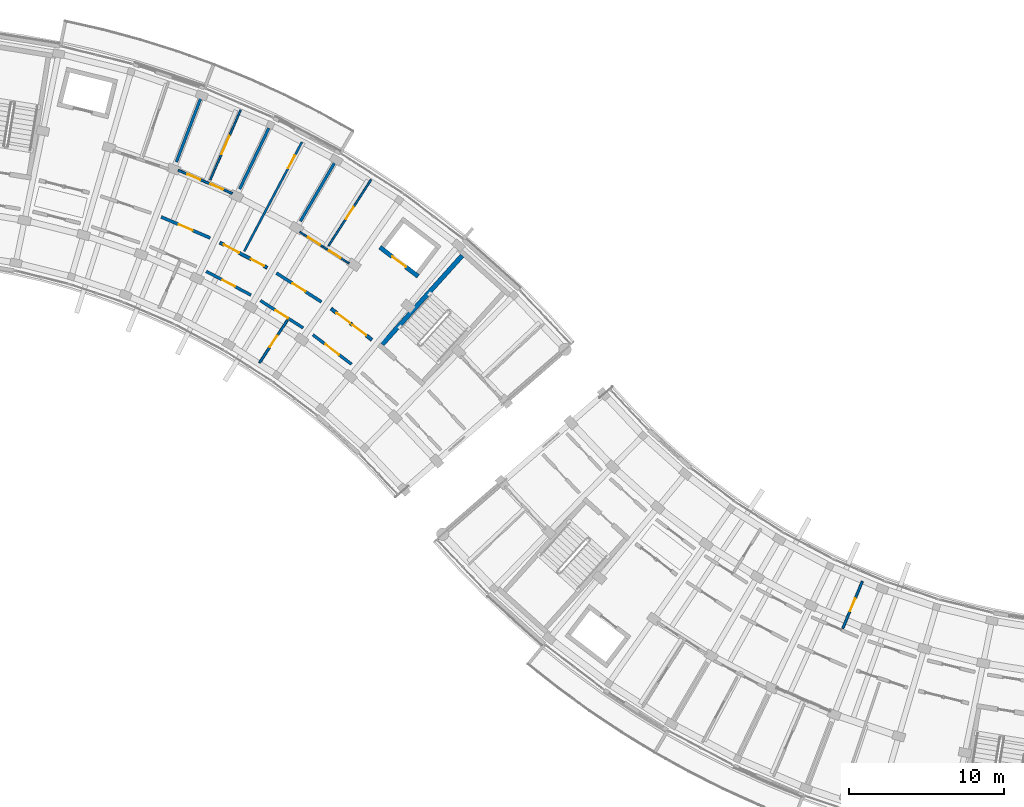
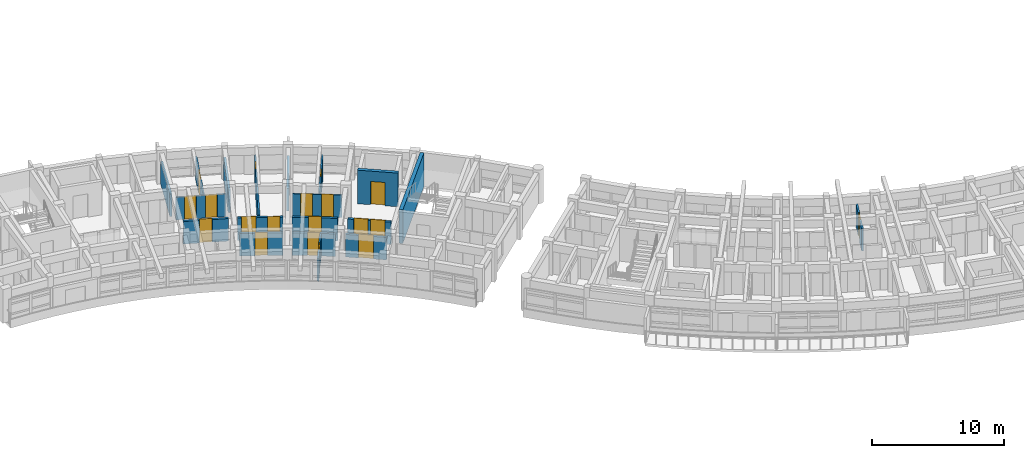
# One storey, part 36 of 55: 19 doors, 19 walls, 19 openings.
"""IFC4 building model written with IfcOpenShell, lengths in metres."""

from ifc_helpers import new_model, si_unit, direction, frame, frame_2d, origin, place, context, subcontext, project, spatial, rectangle, extrude, material, layer, layer_set, type_object, element, fill, save


model = new_model("IFC4")

# Units and contexts
model_context = context("Model", 3, precision=1e-05, world=origin(), true_north=direction((0.0, 1.0)))
body_context = subcontext(model_context, "Body", "Model", "MODEL_VIEW")
ifc_project = project(units=[si_unit("LENGTHUNIT", "METRE"), si_unit("AREAUNIT", "SQUARE_METRE"), si_unit("VOLUMEUNIT", "CUBIC_METRE"), si_unit("PLANEANGLEUNIT", "RADIAN"), si_unit("MASSUNIT", "GRAM", prefix="KILO")], contexts=[model_context])

# Site, building, storey
site_placement = place(None, origin())
site = spatial("IfcSite", under=ifc_project, at=site_placement, CompositionType="ELEMENT")
building_placement = place(site_placement, origin())
building = spatial("IfcBuilding", under=site, at=building_placement, Name="Zimvara Arc Housing Community", CompositionType="ELEMENT")
storey_placement = place(building_placement, frame((0.0, 0.0, 14.300048828125)))
storey = spatial("IfcBuildingStorey", under=building, at=storey_placement, Name="L04", CompositionType="ELEMENT", Elevation=14.300048828125)

# Wall, openings, doors
ifc_material_1 = material(Name="Concrete C35/45", Category="concrete")
ifc_layer_1 = layer(ifc_material_1, 0.2099609375)
ifc_layer_set_1 = layer_set([ifc_layer_1], Name="Concrete C35/45")
wall_type_1 = type_object("IfcWallType", Name="IWL-CCF-210", PredefinedType="SOLIDWALL", material=ifc_layer_set_1)
wall_1_placement = place(storey_placement, frame((74.356689453125, 85.755859375, 0.0), z_axis=(0.0, 0.0, 1.0), x_axis=(0.795498026433, -0.605956178235, 0.0)))
wall_1 = element("IfcWall", 1, at=wall_1_placement, inside=storey, type_object=wall_type_1, Name="iwall:blkB:L04:ll_div:b7", PredefinedType="SOLIDWALL", context=body_context, shape_type="SweptSolid", body=[
    extrude(rectangle(XDim=3.296142578125, YDim=0.2099609375, at=frame_2d((1.64794921875, 0.0))), origin(), (0.0, 0.0, 1.0), 2.079833984375),
])
opening_1_placement = place(wall_1_placement, frame((0.449951171875, 0.0, 0.0)))
opening_1 = element("IfcOpeningElement", 2, at=opening_1_placement, cuts=wall_1, Name="Opening FD-CCF1", PredefinedType="OPENING", context=body_context, shape_type="SweptSolid", body=[
    extrude(rectangle(XDim=1.10009765625, YDim=2.14990234375, at=frame_2d((0.550048828125, 1.074951171875))), frame((0.0, 0.114990234375, 0.0), z_axis=(0.0, -1.0, 0.0), x_axis=(1.0, 0.0, 0.0)), (0.0, 0.0, 1.0), 0.22998046875),
])
opening_2_placement = place(wall_1_placement, frame((1.72607421875, 0.0, 0.0)))
opening_2 = element("IfcOpeningElement", 3, at=opening_2_placement, cuts=wall_1, Name="Opening D07", PredefinedType="OPENING", context=body_context, shape_type="SweptSolid", body=[
    extrude(rectangle(XDim=1.1201171875, YDim=2.14990234375, at=frame_2d((0.56005859375, 1.074951171875))), frame((0.0, 0.114990234375, 0.0), z_axis=(0.0, -1.0, 0.0), x_axis=(1.0, 0.0, 0.0)), (0.0, 0.0, 1.0), 0.22998046875),
])
ifc_material_2 = material(Name="Mozambican Hardwood", Category="wood")
door_type_1 = type_object("IfcDoorType", Name="IDR-AMN-1120x2150", OperationType="NOTDEFINED", PredefinedType="DOOR", material=ifc_material_2)
door_1_placement = place(opening_2_placement, origin())
door_1 = element("IfcDoor", 4, at=door_1_placement, inside=storey, type_object=door_type_1, Name="idoor:blkB:L04:rs_in:b7", OperationType="SINGLE_SWING_LEFT", OverallHeight=2.14990234375, OverallWidth=1.1201171875, PredefinedType="DOOR", context=body_context, shape_type="SweptSolid", body=[
    extrude(rectangle(XDim=1.1201171875, YDim=2.14990234375, at=frame_2d((0.56005859375, 1.074951171875))), frame((0.0, 0.02490234375, 0.0), z_axis=(0.0, -1.0, 0.0), x_axis=(1.0, 0.0, 0.0)), (0.0, 0.0, 1.0), 0.050048828125),
])
fill(opening_2, door_1)
ifc_material_3 = material(Name="Anodised Aluminium AW-6063", Category="aluminium")
door_type_2 = type_object("IfcDoorType", Name="IDR-CCF-1100x2150", OperationType="NOTDEFINED", PredefinedType="DOOR", material=ifc_material_3)
door_2_placement = place(opening_1_placement, origin())
door_2 = element("IfcDoor", 5, at=door_2_placement, inside=storey, type_object=door_type_2, Name="idoor:blkB:L04:ll_in:b7", OperationType="SINGLE_SWING_RIGHT", OverallHeight=2.14990234375, OverallWidth=1.10009765625, PredefinedType="DOOR", context=body_context, shape_type="SweptSolid", body=[
    extrude(rectangle(XDim=1.10009765625, YDim=2.14990234375, at=frame_2d((0.550048828125, 1.074951171875))), frame((0.0, 0.02490234375, 0.0), z_axis=(0.0, -1.0, 0.0), x_axis=(1.0, 0.0, 0.0)), (0.0, 0.0, 1.0), 0.050048828125),
])
fill(opening_1, door_2)

# Wall, opening, door
ifc_material_4 = material(Name="Concrete C35/45", Category="concrete")
ifc_layer_2 = layer(ifc_material_4, 0.18994140625)
ifc_layer_set_2 = layer_set([ifc_layer_2], Name="Concrete C35/45")
wall_type_2 = type_object("IfcWallType", Name="IWL-CORR-190", PredefinedType="SOLIDWALL", material=ifc_layer_set_2)
wall_2_placement = place(storey_placement, frame((66.30859375, 88.1650390625, 0.0), z_axis=(0.0, 0.0, 1.0), x_axis=(0.883444301944, -0.468536194293, 0.0)))
wall_2 = element("IfcWall", 6, at=wall_2_placement, inside=storey, type_object=wall_type_2, Name="iwall:blkB:L04:corr_in:b5", PredefinedType="SOLIDWALL", context=body_context, shape_type="SweptSolid", body=[
    extrude(rectangle(XDim=3.268798828125, YDim=0.18994140625, at=frame_2d((1.63427734375, 0.0))), origin(), (0.0, 0.0, 1.0), 2.079833984375),
])
opening_3_placement = place(wall_2_placement, frame((1.17431640625, 0.0, 0.0)))
opening_3 = element("IfcOpeningElement", 7, at=opening_3_placement, cuts=wall_2, Name="Opening D02", PredefinedType="OPENING", context=body_context, shape_type="SweptSolid", body=[
    extrude(rectangle(XDim=0.919921875, YDim=2.10009765625, at=frame_2d((0.4599609375, 1.050048828125))), frame((0.0, 0.10498046875, 0.0), z_axis=(0.0, -1.0, 0.0), x_axis=(1.0, 0.0, 0.0)), (0.0, 0.0, 1.0), 0.2099609375),
])
ifc_material_5 = material(Name="Mozambican Hardwood", Category="wood")
door_type_3 = type_object("IfcDoorType", Name="IDR-RM-0920x2100", OperationType="NOTDEFINED", PredefinedType="DOOR", material=ifc_material_5)
door_3_placement = place(opening_3_placement, origin())
door_3 = element("IfcDoor", 8, at=door_3_placement, inside=storey, type_object=door_type_3, Name="idoor:blkB:L04:in_rm:b5", OperationType="SINGLE_SWING_RIGHT", OverallHeight=2.10009765625, OverallWidth=0.919921875, PredefinedType="DOOR", context=body_context, shape_type="SweptSolid", body=[
    extrude(rectangle(XDim=0.919921875, YDim=2.10009765625, at=frame_2d((0.4599609375, 1.050048828125))), frame((0.0, 0.02490234375, 0.0), z_axis=(0.0, -1.0, 0.0), x_axis=(1.0, 0.0, 0.0)), (0.0, 0.0, 1.0), 0.050048828125),
])
fill(opening_3, door_3)

wall_3_placement = place(storey_placement, frame((69.80029296875, 86.281005859375, 0.0), z_axis=(0.0, 0.0, 1.0), x_axis=(0.842225276846, -0.539125758095, 0.0)))
wall_3 = element("IfcWall", 9, at=wall_3_placement, inside=storey, type_object=wall_type_2, Name="iwall:blkB:L04:corr_in:b6", PredefinedType="SOLIDWALL", context=body_context, shape_type="SweptSolid", body=[
    extrude(rectangle(XDim=3.2685546875, YDim=0.18994140625, at=frame_2d((1.63427734375, 0.0))), origin(), (0.0, 0.0, 1.0), 2.079833984375),
])
opening_4_placement = place(wall_3_placement, frame((1.164306640625, 0.0, 0.0)))
opening_4 = element("IfcOpeningElement", 10, at=opening_4_placement, cuts=wall_3, Name="Opening D03", PredefinedType="OPENING", context=body_context, shape_type="SweptSolid", body=[
    extrude(rectangle(XDim=0.93994140625, YDim=2.10009765625, at=frame_2d((0.469970703125, 1.050048828125))), frame((0.0, 0.10498046875, 0.0), z_axis=(0.0, -1.0, 0.0), x_axis=(1.0, 0.0, 0.0)), (0.0, 0.0, 1.0), 0.2099609375),
])
ifc_material_6 = material(Name="Mozambican Hardwood", Category="wood")
door_type_4 = type_object("IfcDoorType", Name="IDR-RM-0940x2100", OperationType="NOTDEFINED", PredefinedType="DOOR", material=ifc_material_6)
door_4_placement = place(opening_4_placement, origin())
door_4 = element("IfcDoor", 11, at=door_4_placement, inside=storey, type_object=door_type_4, Name="idoor:blkB:L04:in_rm:b6", OperationType="SINGLE_SWING_LEFT", OverallHeight=2.10009765625, OverallWidth=0.93994140625, PredefinedType="DOOR", context=body_context, shape_type="SweptSolid", body=[
    extrude(rectangle(XDim=0.93994140625, YDim=2.10009765625, at=frame_2d((0.469970703125, 1.050048828125))), frame((0.0, 0.02490234375, 0.0), z_axis=(0.0, -1.0, 0.0), x_axis=(1.0, 0.0, 0.0)), (0.0, 0.0, 1.0), 0.050048828125),
])
fill(opening_4, door_4)

wall_4_placement = place(storey_placement, frame((73.18212890625, 84.07568359375, 0.0), z_axis=(0.0, 0.0, 1.0), x_axis=(0.795501577908, -0.605951515838, 0.0)))
wall_4 = element("IfcWall", 12, at=wall_4_placement, inside=storey, type_object=wall_type_2, Name="iwall:blkB:L04:ra_div:b7", PredefinedType="SOLIDWALL", context=body_context, shape_type="SweptSolid", body=[
    extrude(rectangle(XDim=3.128662109375, YDim=0.18994140625, at=frame_2d((1.564453125, 0.0))), origin(), (0.0, 0.0, 1.0), 2.079833984375),
])
opening_5_placement = place(wall_4_placement, frame((1.00439453125, 0.0, 0.0)))
opening_5 = element("IfcOpeningElement", 13, at=opening_5_placement, cuts=wall_4, Name="Opening D07", PredefinedType="OPENING", context=body_context, shape_type="SweptSolid", body=[
    extrude(rectangle(XDim=1.1201171875, YDim=2.14990234375, at=frame_2d((0.56005859375, 1.074951171875))), frame((0.0, 0.10498046875, 0.0), z_axis=(0.0, -1.0, 0.0), x_axis=(1.0, 0.0, 0.0)), (0.0, 0.0, 1.0), 0.2099609375),
])
door_5_placement = place(opening_5_placement, origin())
door_5 = element("IfcDoor", 14, at=door_5_placement, inside=storey, type_object=door_type_1, Name="idoor:blkB:L04:ra_d:b7", OperationType="SINGLE_SWING_RIGHT", OverallHeight=2.14990234375, OverallWidth=1.1201171875, PredefinedType="DOOR", context=body_context, shape_type="SweptSolid", body=[
    extrude(rectangle(XDim=1.1201171875, YDim=2.14990234375, at=frame_2d((0.56005859375, 1.074951171875))), frame((0.0, 0.02490234375, 0.0), z_axis=(0.0, -1.0, 0.0), x_axis=(1.0, 0.0, 0.0)), (0.0, 0.0, 1.0), 0.050048828125),
])
fill(opening_5, door_5)

ifc_material_7 = material(Name="Concrete C35/45", Category="concrete")
ifc_layer_3 = layer(ifc_material_7, 0.199951171875)
ifc_layer_set_3 = layer_set([ifc_layer_3], Name="Concrete C35/45")
wall_type_3 = type_object("IfcWallType", Name="IWL-CORR-200", PredefinedType="SOLIDWALL", material=ifc_layer_set_3)
wall_5_placement = place(storey_placement, frame((63.40673828125, 91.6728515625, 0.0), z_axis=(0.0, 0.0, 1.0), x_axis=(0.918718172399, -0.394913813008, 0.0)))
wall_5 = element("IfcWall", 15, at=wall_5_placement, inside=storey, type_object=wall_type_3, Name="iwall:blkB:L04:corr_out:b4", PredefinedType="SOLIDWALL", context=body_context, shape_type="SweptSolid", body=[
    extrude(rectangle(XDim=3.43603515625, YDim=0.199951171875, at=frame_2d((1.718017578125, 0.0))), origin(), (0.0, 0.0, 1.0), 2.079833984375),
])
opening_6_placement = place(wall_5_placement, frame((1.22802734375, 0.0, 0.0)))
opening_6 = element("IfcOpeningElement", 16, at=opening_6_placement, cuts=wall_5, Name="Opening FD-FL1", PredefinedType="OPENING", context=body_context, shape_type="SweptSolid", body=[
    extrude(rectangle(XDim=0.97998046875, YDim=2.14990234375, at=frame_2d((0.489990234375, 1.074951171875))), frame((0.0, 0.10986328125, 0.0), z_axis=(0.0, -1.0, 0.0), x_axis=(1.0, 0.0, 0.0)), (0.0, 0.0, 1.0), 0.219970703125),
])
ifc_material_8 = material(Name="Mozambican Hardwood", Category="wood")
door_type_5 = type_object("IfcDoorType", Name="IDR-FLAT-0980x2150", OperationType="NOTDEFINED", PredefinedType="DOOR", material=ifc_material_8)
door_6_placement = place(opening_6_placement, origin())
door_6 = element("IfcDoor", 17, at=door_6_placement, inside=storey, type_object=door_type_5, Name="idoor:blkB:L04:flat:b4", OperationType="SINGLE_SWING_RIGHT", OverallHeight=2.14990234375, OverallWidth=0.97998046875, PredefinedType="DOOR", context=body_context, shape_type="SweptSolid", body=[
    extrude(rectangle(XDim=0.97998046875, YDim=2.14990234375, at=frame_2d((0.489990234375, 1.074951171875))), frame((0.0, 0.02490234375, 0.0), z_axis=(0.0, -1.0, 0.0), x_axis=(1.0, 0.0, 0.0)), (0.0, 0.0, 1.0), 0.050048828125),
])
fill(opening_6, door_6)

# Wall, openings, doors
wall_6_placement = place(storey_placement, frame((67.1943359375, 90.013916015625, 0.0), z_axis=(0.0, 0.0, 1.0), x_axis=(0.883410853063, -0.468599258099, 0.0)))
wall_6 = element("IfcWall", 18, at=wall_6_placement, inside=storey, type_object=wall_type_3, Name="iwall:blkB:L04:corr_out:b5", PredefinedType="SOLIDWALL", context=body_context, shape_type="SweptSolid", body=[
    extrude(rectangle(XDim=3.43603515625, YDim=0.199951171875, at=frame_2d((1.718017578125, 0.0))), origin(), (0.0, 0.0, 1.0), 2.079833984375),
])
opening_7_placement = place(wall_6_placement, frame((0.280029296875, 0.0, 0.0)))
opening_7 = element("IfcOpeningElement", 19, at=opening_7_placement, cuts=wall_6, Name="Opening D07", PredefinedType="OPENING", context=body_context, shape_type="SweptSolid", body=[
    extrude(rectangle(XDim=1.1201171875, YDim=2.14990234375, at=frame_2d((0.56005859375, 1.074951171875))), frame((0.0, 0.10986328125, 0.0), z_axis=(0.0, -1.0, 0.0), x_axis=(1.0, 0.0, 0.0)), (0.0, 0.0, 1.0), 0.219970703125),
])
opening_8_placement = place(wall_6_placement, frame((2.26611328125, 0.0, 0.0)))
opening_8 = element("IfcOpeningElement", 20, at=opening_8_placement, cuts=wall_6, Name="Opening D06", PredefinedType="OPENING", context=body_context, shape_type="SweptSolid", body=[
    extrude(rectangle(XDim=0.949951171875, YDim=2.10009765625, at=frame_2d((0.47509765625, 1.050048828125))), frame((0.0, 0.10986328125, 0.0), z_axis=(0.0, -1.0, 0.0), x_axis=(1.0, 0.0, 0.0)), (0.0, 0.0, 1.0), 0.219970703125),
])
door_7_placement = place(opening_7_placement, origin())
door_7 = element("IfcDoor", 21, at=door_7_placement, inside=storey, type_object=door_type_1, Name="idoor:blkB:L04:amen:b5", OperationType="SINGLE_SWING_RIGHT", OverallHeight=2.14990234375, OverallWidth=1.1201171875, PredefinedType="DOOR", context=body_context, shape_type="SweptSolid", body=[
    extrude(rectangle(XDim=1.1201171875, YDim=2.14990234375, at=frame_2d((0.56005859375, 1.074951171875))), frame((0.0, 0.02490234375, 0.0), z_axis=(0.0, -1.0, 0.0), x_axis=(1.0, 0.0, 0.0)), (0.0, 0.0, 1.0), 0.050048828125),
])
fill(opening_7, door_7)
ifc_material_9 = material(Name="Mozambican Hardwood", Category="wood")
door_type_6 = type_object("IfcDoorType", Name="IDR-AWC-0950x2100", OperationType="NOTDEFINED", PredefinedType="DOOR", material=ifc_material_9)
door_8_placement = place(opening_8_placement, origin())
door_8 = element("IfcDoor", 22, at=door_8_placement, inside=storey, type_object=door_type_6, Name="idoor:blkB:L04:cawc:b5", OperationType="SINGLE_SWING_LEFT", OverallHeight=2.10009765625, OverallWidth=0.949951171875, PredefinedType="DOOR", context=body_context, shape_type="SweptSolid", body=[
    extrude(rectangle(XDim=0.949951171875, YDim=2.10009765625, at=frame_2d((0.47509765625, 1.050048828125))), frame((0.0, 0.02490234375, 0.0), z_axis=(0.0, -1.0, 0.0), x_axis=(1.0, 0.0, 0.0)), (0.0, 0.0, 1.0), 0.050048828125),
])
fill(opening_8, door_8)

# Wall, opening, door
wall_7_placement = place(storey_placement, frame((70.833740234375, 88.05126953125, 0.0), z_axis=(0.0, 0.0, 1.0), x_axis=(0.842257205985, -0.539075874963, 0.0)))
wall_7 = element("IfcWall", 23, at=wall_7_placement, inside=storey, type_object=wall_type_3, Name="iwall:blkB:L04:corr_out:b6", PredefinedType="SOLIDWALL", context=body_context, shape_type="SweptSolid", body=[
    extrude(rectangle(XDim=3.43603515625, YDim=0.199951171875, at=frame_2d((1.718017578125, 0.0))), origin(), (0.0, 0.0, 1.0), 2.079833984375),
])
opening_9_placement = place(wall_7_placement, frame((1.22802734375, 0.0, 0.0)))
opening_9 = element("IfcOpeningElement", 24, at=opening_9_placement, cuts=wall_7, Name="Opening FD-FL1", PredefinedType="OPENING", context=body_context, shape_type="SweptSolid", body=[
    extrude(rectangle(XDim=0.97998046875, YDim=2.14990234375, at=frame_2d((0.489990234375, 1.074951171875))), frame((0.0, 0.10986328125, 0.0), z_axis=(0.0, -1.0, 0.0), x_axis=(1.0, 0.0, 0.0)), (0.0, 0.0, 1.0), 0.219970703125),
])
door_9_placement = place(opening_9_placement, origin())
door_9 = element("IfcDoor", 25, at=door_9_placement, inside=storey, type_object=door_type_5, Name="idoor:blkB:L04:flat:b6", OperationType="SINGLE_SWING_RIGHT", OverallHeight=2.14990234375, OverallWidth=0.97998046875, PredefinedType="DOOR", context=body_context, shape_type="SweptSolid", body=[
    extrude(rectangle(XDim=0.97998046875, YDim=2.14990234375, at=frame_2d((0.489990234375, 1.074951171875))), frame((0.0, 0.02490234375, 0.0), z_axis=(0.0, -1.0, 0.0), x_axis=(1.0, 0.0, 0.0)), (0.0, 0.0, 1.0), 0.050048828125),
])
fill(opening_9, door_9)

# Walls
ifc_material_10 = material(Name="Concrete C35/45", Category="concrete")
ifc_layer_4 = layer(ifc_material_10, 0.18505859375)
ifc_layer_set_4 = layer_set([ifc_layer_4], Name="Concrete C35/45")
wall_type_4 = type_object("IfcWallType", Name="IWL-FLAT-185", PredefinedType="SOLIDWALL", material=ifc_layer_set_4)
for number, where, z_axis, x_axis, name in (
    (26, (64.388671875, 95.220458984375, 0.0), (0.0, 0.0, 1.0), (0.357064016205, 0.934079915388, 0.0), "iwall:blkB:L04:party:b4"),
    (27, (68.462158203125, 93.469482421875, 0.0), (0.0, 0.0, 1.0), (0.432086898897, 0.901831975371, 0.0), "iwall:blkB:L04:party:b5"),
    (28, (72.37939453125, 91.391845703125, 0.0), (0.0, 0.0, 1.0), (0.504216452091, 0.863577309475, 0.0), "iwall:blkB:L04:party:b6"),
):
    element("IfcWall", number, at=place(storey_placement, frame(where, z_axis=z_axis, x_axis=x_axis)), inside=storey, type_object=wall_type_4, Name=name, PredefinedType="SOLIDWALL", context=body_context, shape_type="SweptSolid", body=[
        extrude(rectangle(XDim=4.35009765625, YDim=0.18505859375, at=frame_2d((2.175048828125, 0.0))), origin(), (0.0, 0.0, 1.0), 2.079833984375),
    ])

# Wall, openings, doors
ifc_material_11 = material(Name="Painted Acoustic Plasterboard")
ifc_layer_5 = layer(ifc_material_11, 0.10498046875)
ifc_layer_set_5 = layer_set([ifc_layer_5], Name="Painted Acoustic Plasterboard")
wall_type_5 = type_object("IfcWallType", Name="IWL-PART-105", PredefinedType="PARTITIONING", material=ifc_layer_set_5)
wall_8_placement = place(storey_placement, frame((72.32958984375, 90.712158203125, 0.0), z_axis=(0.0, 0.0, 1.0), x_axis=(0.842245628842, -0.539093962771, 0.0)))
wall_8 = element("IfcWall", 29, at=wall_8_placement, inside=storey, type_object=wall_type_5, Name="iwall:blkB:L04:srv:b6", PredefinedType="PARTITIONING", context=body_context, shape_type="SweptSolid", body=[
    extrude(rectangle(XDim=3.78515625, YDim=0.10498046875, at=frame_2d((1.892578125, 0.0))), origin(), (0.0, 0.0, 1.0), 2.079833984375),
])
opening_10_placement = place(wall_8_placement, frame((0.64990234375, 0.0, 0.0)))
opening_10 = element("IfcOpeningElement", 30, at=opening_10_placement, cuts=wall_8, Name="Opening D01", PredefinedType="OPENING", context=body_context, shape_type="SweptSolid", body=[
    extrude(rectangle(XDim=0.89990234375, YDim=2.10009765625, at=frame_2d((0.449951171875, 1.050048828125))), frame((0.0, 0.0625, 0.0), z_axis=(0.0, -1.0, 0.0), x_axis=(1.0, 0.0, 0.0)), (0.0, 0.0, 1.0), 0.125),
])
opening_11_placement = place(wall_8_placement, frame((2.255126953125, 0.0, 0.0)))
opening_11 = element("IfcOpeningElement", 31, at=opening_11_placement, cuts=wall_8, Name="Opening D05", PredefinedType="OPENING", context=body_context, shape_type="SweptSolid", body=[
    extrude(rectangle(XDim=0.8798828125, YDim=2.10009765625, at=frame_2d((0.43994140625, 1.050048828125))), frame((0.0, 0.0625, 0.0), z_axis=(0.0, -1.0, 0.0), x_axis=(1.0, 0.0, 0.0)), (0.0, 0.0, 1.0), 0.125),
])
ifc_material_12 = material(Name="Mozambican Hardwood", Category="wood")
door_type_7 = type_object("IfcDoorType", Name="IDR-RM-0900x2100", OperationType="NOTDEFINED", PredefinedType="DOOR", material=ifc_material_12)
door_10_placement = place(opening_10_placement, origin())
door_10 = element("IfcDoor", 32, at=door_10_placement, inside=storey, type_object=door_type_7, Name="idoor:blkB:L04:kit_liv:b6", OperationType="SINGLE_SWING_LEFT", OverallHeight=2.10009765625, OverallWidth=0.89990234375, PredefinedType="DOOR", context=body_context, shape_type="SweptSolid", body=[
    extrude(rectangle(XDim=0.89990234375, YDim=2.10009765625, at=frame_2d((0.449951171875, 1.050048828125))), frame((0.0, 0.02490234375, 0.0), z_axis=(0.0, -1.0, 0.0), x_axis=(1.0, 0.0, 0.0)), (0.0, 0.0, 1.0), 0.050048828125),
])
fill(opening_10, door_10)
ifc_material_13 = material(Name="Mozambican Hardwood", Category="wood")
door_type_8 = type_object("IfcDoorType", Name="IDR-WC-0880x2100", OperationType="NOTDEFINED", PredefinedType="DOOR", material=ifc_material_13)
door_11_placement = place(opening_11_placement, origin())
door_11 = element("IfcDoor", 33, at=door_11_placement, inside=storey, type_object=door_type_8, Name="idoor:blkB:L04:bath_d:b6", OperationType="SINGLE_SWING_RIGHT", OverallHeight=2.10009765625, OverallWidth=0.8798828125, PredefinedType="DOOR", context=body_context, shape_type="SweptSolid", body=[
    extrude(rectangle(XDim=0.8798828125, YDim=2.10009765625, at=frame_2d((0.43994140625, 1.050048828125))), frame((0.0, 0.02490234375, 0.0), z_axis=(0.0, -1.0, 0.0), x_axis=(1.0, 0.0, 0.0)), (0.0, 0.0, 1.0), 0.050048828125),
])
fill(opening_11, door_11)

# Wall, opening, door
ifc_material_14 = material(Name="Painted Acoustic Plasterboard")
ifc_layer_6 = layer(ifc_material_14, 0.1201171875)
ifc_layer_set_6 = layer_set([ifc_layer_6], Name="Painted Acoustic Plasterboard")
wall_type_6 = type_object("IfcWallType", Name="IWL-PART-120", PredefinedType="PARTITIONING", material=ifc_layer_set_6)
wall_9_placement = place(storey_placement, frame((66.569091796875, 94.059814453125, 0.0), z_axis=(0.0, 0.0, 1.0), x_axis=(0.399048563147, 0.916929792433, 0.0)))
wall_9 = element("IfcWall", 34, at=wall_9_placement, inside=storey, type_object=wall_type_6, Name="iwall:blkB:L04:bed_div:b4", PredefinedType="PARTITIONING", context=body_context, shape_type="SweptSolid", body=[
    extrude(rectangle(XDim=4.89990234375, YDim=0.1201171875, at=frame_2d((2.449951171875, 0.0))), origin(), (0.0, 0.0, 1.0), 2.079833984375),
])
opening_12_placement = place(wall_9_placement, frame((1.800048828125, 0.0, 0.0)))
opening_12 = element("IfcOpeningElement", 35, at=opening_12_placement, cuts=wall_9, Name="Opening D20", PredefinedType="OPENING", context=body_context, shape_type="SweptSolid", body=[
    extrude(rectangle(XDim=1.300048828125, YDim=2.10009765625, at=frame_2d((0.64990234375, 1.050048828125))), frame((0.0, 0.070068359375, 0.0), z_axis=(0.0, -1.0, 0.0), x_axis=(1.0, 0.0, 0.0)), (0.0, 0.0, 1.0), 0.14013671875),
])
ifc_material_15 = material(Name="Mozambican Hardwood", Category="wood")
door_type_9 = type_object("IfcDoorType", Name="IDR-MOD-1300x2240", OperationType="NOTDEFINED", PredefinedType="DOOR", material=ifc_material_15)
door_12_placement = place(opening_12_placement, origin())
door_12 = element("IfcDoor", 36, at=door_12_placement, inside=storey, type_object=door_type_9, Name="idoor:blkB:L04:bed_d:b4", OperationType="SINGLE_SWING_LEFT", OverallHeight=2.10009765625, OverallWidth=1.300048828125, PredefinedType="DOOR", context=body_context, shape_type="SweptSolid", body=[
    extrude(rectangle(XDim=1.300048828125, YDim=2.10009765625, at=frame_2d((0.64990234375, 1.050048828125))), frame((0.0, 0.02490234375, 0.0), z_axis=(0.0, -1.0, 0.0), x_axis=(1.0, 0.0, 0.0)), (0.0, 0.0, 1.0), 0.050048828125),
])
fill(opening_12, door_12)

wall_10_placement = place(storey_placement, frame((74.1923828125, 89.810302734375, 0.0), z_axis=(0.0, 0.0, 1.0), x_axis=(0.541612517702, 0.840628265447, 0.0)))
wall_10 = element("IfcWall", 37, at=wall_10_placement, inside=storey, type_object=wall_type_6, Name="iwall:blkB:L04:bed_div:b6", PredefinedType="PARTITIONING", context=body_context, shape_type="SweptSolid", body=[
    extrude(rectangle(XDim=5.050048828125, YDim=0.1201171875, at=frame_2d((2.52490234375, 0.0))), origin(), (0.0, 0.0, 1.0), 2.079833984375),
])
opening_13_placement = place(wall_10_placement, frame((2.06494140625, 0.0, 0.0)))
opening_13 = element("IfcOpeningElement", 38, at=opening_13_placement, cuts=wall_10, Name="Opening D02", PredefinedType="OPENING", context=body_context, shape_type="SweptSolid", body=[
    extrude(rectangle(XDim=0.919921875, YDim=2.10009765625, at=frame_2d((0.4599609375, 1.050048828125))), frame((0.0, 0.070068359375, 0.0), z_axis=(0.0, -1.0, 0.0), x_axis=(1.0, 0.0, 0.0)), (0.0, 0.0, 1.0), 0.14013671875),
])
door_13_placement = place(opening_13_placement, origin())
door_13 = element("IfcDoor", 39, at=door_13_placement, inside=storey, type_object=door_type_3, Name="idoor:blkB:L04:bed_d:b6", OperationType="SINGLE_SWING_LEFT", OverallHeight=2.10009765625, OverallWidth=0.919921875, PredefinedType="DOOR", context=body_context, shape_type="SweptSolid", body=[
    extrude(rectangle(XDim=0.919921875, YDim=2.10009765625, at=frame_2d((0.4599609375, 1.050048828125))), frame((0.0, 0.02490234375, 0.0), z_axis=(0.0, -1.0, 0.0), x_axis=(1.0, 0.0, 0.0)), (0.0, 0.0, 1.0), 0.050048828125),
])
fill(opening_13, door_13)

# Wall, openings, doors
ifc_material_16 = material(Name="Painted Acoustic Plasterboard")
ifc_layer_7 = layer(ifc_material_16, 0.139892578125)
ifc_layer_set_7 = layer_set([ifc_layer_7], Name="Painted Acoustic Plasterboard")
wall_type_7 = type_object("IfcWallType", Name="IWL-PART-140", PredefinedType="PARTITIONING", material=ifc_layer_set_7)
wall_11_placement = place(storey_placement, frame((64.50341796875, 94.681640625, 0.0), z_axis=(0.0, 0.0, 1.0), x_axis=(0.918732171064, -0.394881245253, 0.0)))
wall_11 = element("IfcWall", 40, at=wall_11_placement, inside=storey, type_object=wall_type_7, Name="iwall:blkB:L04:srv:b4", PredefinedType="PARTITIONING", context=body_context, shape_type="SweptSolid", body=[
    extrude(rectangle(XDim=3.79736328125, YDim=0.139892578125, at=frame_2d((1.898681640625, 0.0))), origin(), (0.0, 0.0, 1.0), 2.079833984375),
])
opening_14_placement = place(wall_11_placement, frame((0.64990234375, 0.0, 0.0)))
opening_14 = element("IfcOpeningElement", 41, at=opening_14_placement, cuts=wall_11, Name="Opening D01", PredefinedType="OPENING", context=body_context, shape_type="SweptSolid", body=[
    extrude(rectangle(XDim=0.89990234375, YDim=2.10009765625, at=frame_2d((0.449951171875, 1.050048828125))), frame((0.0, 0.079833984375, 0.0), z_axis=(0.0, -1.0, 0.0), x_axis=(1.0, 0.0, 0.0)), (0.0, 0.0, 1.0), 0.159912109375),
])
opening_15_placement = place(wall_11_placement, frame((2.267333984375, 0.0, 0.0)))
opening_15 = element("IfcOpeningElement", 42, at=opening_15_placement, cuts=wall_11, Name="Opening D05", PredefinedType="OPENING", context=body_context, shape_type="SweptSolid", body=[
    extrude(rectangle(XDim=0.8798828125, YDim=2.10009765625, at=frame_2d((0.43994140625, 1.050048828125))), frame((0.0, 0.079833984375, 0.0), z_axis=(0.0, -1.0, 0.0), x_axis=(1.0, 0.0, 0.0)), (0.0, 0.0, 1.0), 0.159912109375),
])
door_14_placement = place(opening_14_placement, origin())
door_14 = element("IfcDoor", 43, at=door_14_placement, inside=storey, type_object=door_type_7, Name="idoor:blkB:L04:kit_liv:b4", OperationType="SINGLE_SWING_LEFT", OverallHeight=2.10009765625, OverallWidth=0.89990234375, PredefinedType="DOOR", context=body_context, shape_type="SweptSolid", body=[
    extrude(rectangle(XDim=0.89990234375, YDim=2.10009765625, at=frame_2d((0.449951171875, 1.050048828125))), frame((0.0, 0.02490234375, 0.0), z_axis=(0.0, -1.0, 0.0), x_axis=(1.0, 0.0, 0.0)), (0.0, 0.0, 1.0), 0.050048828125),
])
fill(opening_14, door_14)
door_15_placement = place(opening_15_placement, origin())
door_15 = element("IfcDoor", 44, at=door_15_placement, inside=storey, type_object=door_type_8, Name="idoor:blkB:L04:bath_d:b4", OperationType="SINGLE_SWING_RIGHT", OverallHeight=2.10009765625, OverallWidth=0.8798828125, PredefinedType="DOOR", context=body_context, shape_type="SweptSolid", body=[
    extrude(rectangle(XDim=0.8798828125, YDim=2.10009765625, at=frame_2d((0.43994140625, 1.050048828125))), frame((0.0, 0.02490234375, 0.0), z_axis=(0.0, -1.0, 0.0), x_axis=(1.0, 0.0, 0.0)), (0.0, 0.0, 1.0), 0.050048828125),
])
fill(opening_15, door_15)

# Wall, opening, door
wall_12_placement = place(storey_placement, frame((68.7578125, 89.458740234375, 0.0), z_axis=(0.0, 0.0, 1.0), x_axis=(0.467208910392, 0.884146952746, 0.0)))
wall_12 = element("IfcWall", 45, at=wall_12_placement, inside=storey, type_object=wall_type_7, Name="iwall:blkB:L04:amen_div:b5", PredefinedType="PARTITIONING", context=body_context, shape_type="SweptSolid", body=[
    extrude(rectangle(XDim=7.9501953125, YDim=0.139892578125, at=frame_2d((3.97509765625, 0.0))), origin(), (0.0, 0.0, 1.0), 2.079833984375),
])
opening_16_placement = place(wall_12_placement, frame((6.050048828125, 0.0, 0.0)))
opening_16 = element("IfcOpeningElement", 46, at=opening_16_placement, cuts=wall_12, Name="Opening D02", PredefinedType="OPENING", context=body_context, shape_type="SweptSolid", body=[
    extrude(rectangle(XDim=0.919921875, YDim=2.10009765625, at=frame_2d((0.4599609375, 1.050048828125))), frame((0.0, 0.079833984375, 0.0), z_axis=(0.0, -1.0, 0.0), x_axis=(1.0, 0.0, 0.0)), (0.0, 0.0, 1.0), 0.159912109375),
])
door_16_placement = place(opening_16_placement, origin())
door_16 = element("IfcDoor", 47, at=door_16_placement, inside=storey, type_object=door_type_3, Name="idoor:blkB:L04:laund_d:b5", OperationType="SINGLE_SWING_LEFT", OverallHeight=2.10009765625, OverallWidth=0.919921875, PredefinedType="DOOR", context=body_context, shape_type="SweptSolid", body=[
    extrude(rectangle(XDim=0.919921875, YDim=2.10009765625, at=frame_2d((0.4599609375, 1.050048828125))), frame((0.0, 0.02490234375, 0.0), z_axis=(0.0, -1.0, 0.0), x_axis=(1.0, 0.0, 0.0)), (0.0, 0.0, 1.0), 0.050048828125),
])
fill(opening_16, door_16)

ifc_material_17 = material(Name="Painted Acoustic Plasterboard")
ifc_layer_8 = layer(ifc_material_17, 0.14501953125)
ifc_layer_set_8 = layer_set([ifc_layer_8], Name="Painted Acoustic Plasterboard")
wall_type_8 = type_object("IfcWallType", Name="IWL-WET-145", PredefinedType="PARTITIONING", material=ifc_layer_set_8)
wall_13_placement = place(storey_placement, frame((69.73876953125, 82.269287109375, 0.0), z_axis=(0.0, 0.0, 1.0), x_axis=(0.547920940513, 0.836530120765, 0.0)))
wall_13 = element("IfcWall", 48, at=wall_13_placement, inside=storey, type_object=wall_type_8, Name="iwall:blkB:L04:ens:b6", PredefinedType="PARTITIONING", context=body_context, shape_type="SweptSolid", body=[
    extrude(rectangle(XDim=3.300048828125, YDim=0.14501953125, at=frame_2d((1.64990234375, 0.0))), origin(), (0.0, 0.0, 1.0), 2.079833984375),
])
opening_17_placement = place(wall_13_placement, frame((1.2099609375, 0.0, 0.0)))
opening_17 = element("IfcOpeningElement", 49, at=opening_17_placement, cuts=wall_13, Name="Opening D05", PredefinedType="OPENING", context=body_context, shape_type="SweptSolid", body=[
    extrude(rectangle(XDim=0.8798828125, YDim=2.10009765625, at=frame_2d((0.43994140625, 1.050048828125))), frame((0.0, 0.08251953125, 0.0), z_axis=(0.0, -1.0, 0.0), x_axis=(1.0, 0.0, 0.0)), (0.0, 0.0, 1.0), 0.1650390625),
])
door_17_placement = place(opening_17_placement, origin())
door_17 = element("IfcDoor", 50, at=door_17_placement, inside=storey, type_object=door_type_8, Name="idoor:blkB:L04:ens_d:b6", OperationType="SINGLE_SWING_RIGHT", OverallHeight=2.10009765625, OverallWidth=0.8798828125, PredefinedType="DOOR", context=body_context, shape_type="SweptSolid", body=[
    extrude(rectangle(XDim=0.8798828125, YDim=2.10009765625, at=frame_2d((0.43994140625, 1.050048828125))), frame((0.0, 0.02490234375, 0.0), z_axis=(0.0, -1.0, 0.0), x_axis=(1.0, 0.0, 0.0)), (0.0, 0.0, 1.0), 0.050048828125),
])
fill(opening_17, door_17)

wall_14_placement = place(storey_placement, frame((108.5888671875, 68.19384765625, 0.0), z_axis=(0.0, 0.0, 1.0), x_axis=(-0.385151143297, -0.922853507777, 0.0)))
wall_14 = element("IfcWall", 51, at=wall_14_placement, inside=storey, type_object=wall_type_8, Name="iwall:blkC:L04:ens:b5", PredefinedType="PARTITIONING", context=body_context, shape_type="SweptSolid", body=[
    extrude(rectangle(XDim=3.300048828125, YDim=0.14501953125, at=frame_2d((1.64990234375, 0.0))), origin(), (0.0, 0.0, 1.0), 2.079833984375),
])
opening_18_placement = place(wall_14_placement, frame((1.2099609375, 0.0, 0.0)))
opening_18 = element("IfcOpeningElement", 52, at=opening_18_placement, cuts=wall_14, Name="Opening D05", PredefinedType="OPENING", context=body_context, shape_type="SweptSolid", body=[
    extrude(rectangle(XDim=0.8798828125, YDim=2.10009765625, at=frame_2d((0.43994140625, 1.050048828125))), frame((0.0, 0.08251953125, 0.0), z_axis=(0.0, -1.0, 0.0), x_axis=(1.0, 0.0, 0.0)), (0.0, 0.0, 1.0), 0.1650390625),
])
door_18_placement = place(opening_18_placement, origin())
door_18 = element("IfcDoor", 53, at=door_18_placement, inside=storey, type_object=door_type_8, Name="idoor:blkC:L04:ens_d:b5", OperationType="SINGLE_SWING_LEFT", OverallHeight=2.10009765625, OverallWidth=0.8798828125, PredefinedType="DOOR", context=body_context, shape_type="SweptSolid", body=[
    extrude(rectangle(XDim=0.8798828125, YDim=2.10009765625, at=frame_2d((0.43994140625, 1.050048828125))), frame((0.0, 0.02490234375, 0.0), z_axis=(0.0, -1.0, 0.0), x_axis=(1.0, 0.0, 0.0)), (0.0, 0.0, 1.0), 0.050048828125),
])
fill(opening_18, door_18)

ifc_material_18 = material(Name="Concrete C40/50", Category="concrete")
ifc_layer_9 = layer(ifc_material_18, 0.280029296875)
ifc_layer_set_9 = layer_set([ifc_layer_9], Name="Concrete C40/50")
wall_type_9 = type_object("IfcWallType", Name="WL-CORE-280", PredefinedType="SHEAR", material=ifc_layer_set_9)
wall_15_placement = place(storey_placement, frame((79.96142578125, 87.84375, 0.0), z_axis=(0.0, 0.0, 1.0), x_axis=(-0.795464365424, 0.606000365793, 0.0)))
wall_15 = element("IfcWall", 54, at=wall_15_placement, inside=storey, type_object=wall_type_9, Name="lwall:LP-B2:L04:front", PredefinedType="SHEAR", context=body_context, shape_type="SweptSolid", body=[
    extrude(rectangle(XDim=3.090087890625, YDim=0.280029296875, at=frame_2d((1.544921875, 0.0))), origin(), (0.0, 0.0, 1.0), 3.099853515625),
])
opening_19_placement = place(wall_15_placement, frame((0.9951171875, 0.0, 0.0)))
opening_19 = element("IfcOpeningElement", 55, at=opening_19_placement, cuts=wall_15, Name="Opening LD-LP-B2", PredefinedType="OPENING", context=body_context, shape_type="SweptSolid", body=[
    extrude(rectangle(XDim=1.10009765625, YDim=2.14990234375, at=frame_2d((0.550048828125, 1.074951171875))), frame((0.0, 0.14990234375, 0.0), z_axis=(0.0, -1.0, 0.0), x_axis=(1.0, 0.0, 0.0)), (0.0, 0.0, 1.0), 0.300048828125),
])
ifc_material_19 = material(Name="Anodised Aluminium AW-6063", Category="aluminium")
door_type_10 = type_object("IfcDoorType", Name="IDR-LD-1100x2150", OperationType="DOUBLE_DOOR_SLIDING", PredefinedType="DOOR", material=ifc_material_19)
door_19_placement = place(opening_19_placement, origin())
door_19 = element("IfcDoor", 56, at=door_19_placement, inside=storey, type_object=door_type_10, Name="Lift LP-B2 Sliding Landing Door L04", OperationType="DOUBLE_DOOR_SLIDING", OverallHeight=2.14990234375, OverallWidth=1.10009765625, PredefinedType="DOOR", context=body_context, shape_type="SweptSolid", body=[
    extrude(rectangle(XDim=1.10009765625, YDim=2.14990234375, at=frame_2d((0.550048828125, 1.074951171875))), frame((0.0, 0.02490234375, 0.0), z_axis=(0.0, -1.0, 0.0), x_axis=(1.0, 0.0, 0.0)), (0.0, 0.0, 1.0), 0.050048828125),
])
fill(opening_19, door_19)

# Wall
ifc_material_20 = material(Name="Concrete C40/50", Category="concrete")
ifc_layer_10 = layer(ifc_material_20, 0.300048828125)
ifc_layer_set_10 = layer_set([ifc_layer_10], Name="Concrete C40/50")
wall_type_10 = type_object("IfcWallType", Name="WL-CORE-300", PredefinedType="SHEAR", material=ifc_layer_set_10)
wall_16_placement = place(storey_placement, frame((77.655029296875, 83.461181640625, 0.0), z_axis=(0.0, 0.0, 1.0), x_axis=(0.668868253964, 0.743380964808, 0.0)))
element("IfcWall", 57, at=wall_16_placement, inside=storey, type_object=wall_type_10, Name="cwall:ST-B2:L04:right", PredefinedType="SHEAR", context=body_context, shape_type="SweptSolid", body=[
    extrude(rectangle(XDim=7.68994140625, YDim=0.300048828125, at=frame_2d((3.844970703125, 0.0))), origin(), (0.0, 0.0, 1.0), 3.099853515625),
])

save(model, "model.ifc")
